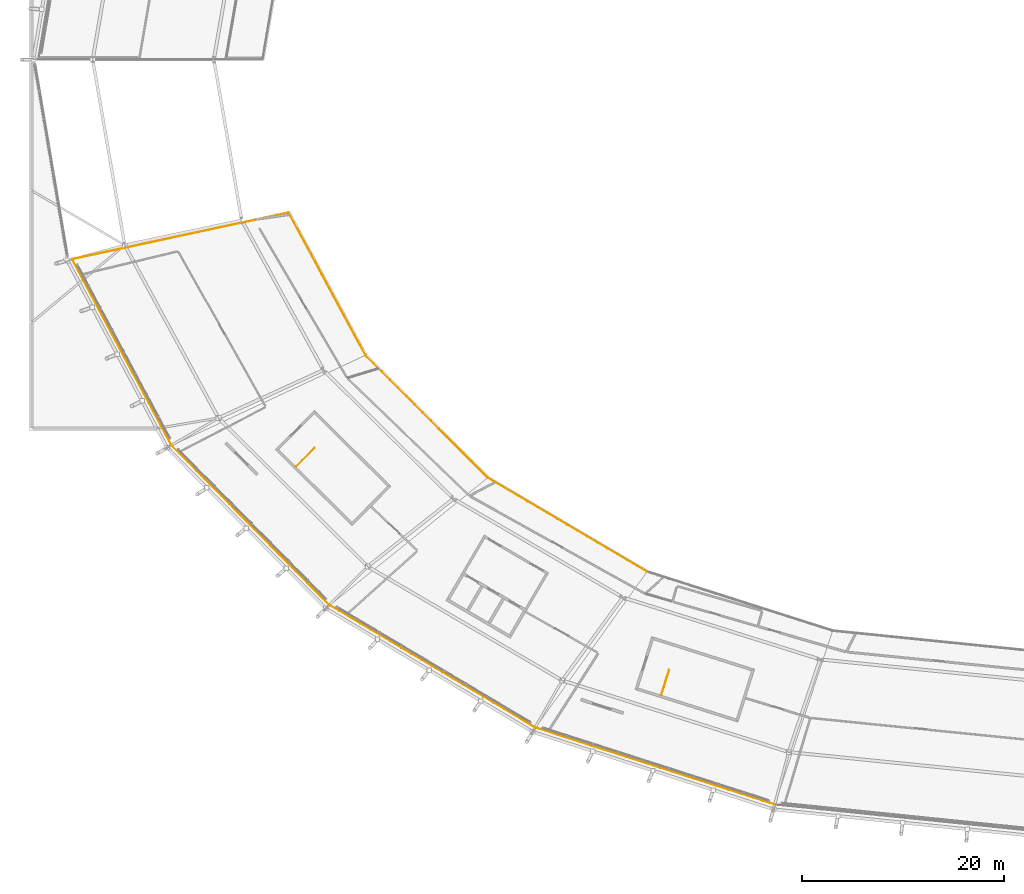
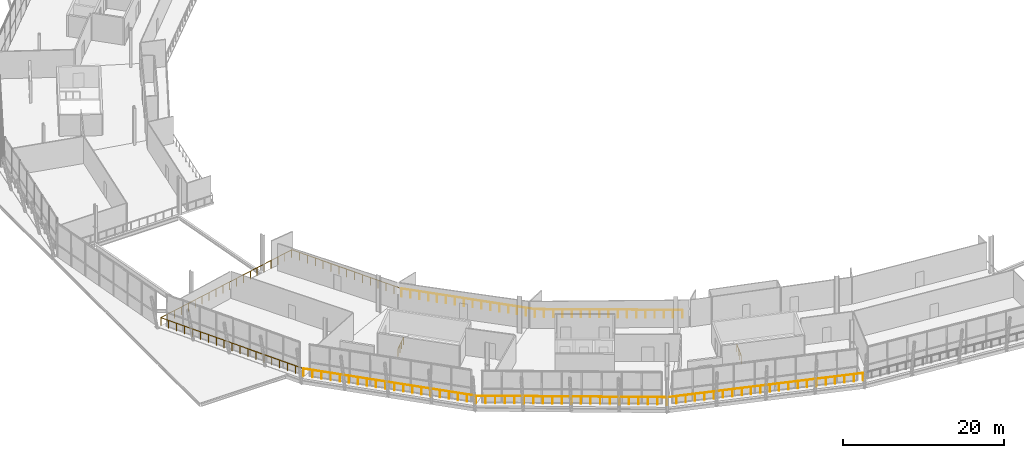
# One storey, part 93 of 99: 10 railings.
"""IFC4 building model written with IfcOpenShell, lengths in metres."""

from ifc_helpers import new_model, si_unit, direction, frame, origin, origin_2d, place, context, subcontext, project, spatial, rectangle, extrude, material, type_object, element, save


model = new_model("IFC4")

# Units and contexts
model_context = context("Model", 3, precision=1e-05, world=origin(), true_north=direction((0.0, 1.0)))
body_context = subcontext(model_context, "Body", "Model", "MODEL_VIEW")
ifc_project = project(units=[si_unit("LENGTHUNIT", "METRE"), si_unit("AREAUNIT", "SQUARE_METRE"), si_unit("VOLUMEUNIT", "CUBIC_METRE"), si_unit("PLANEANGLEUNIT", "RADIAN"), si_unit("MASSUNIT", "GRAM", prefix="KILO")], contexts=[model_context])

# Site, building, storey
site_placement = place(None, origin())
site = spatial("IfcSite", under=ifc_project, at=site_placement, CompositionType="ELEMENT")
building_placement = place(site_placement, origin())
building = spatial("IfcBuilding", under=site, at=building_placement, Name="Zlatoyarsky Gate Stadium", CompositionType="ELEMENT")
storey_placement = place(building_placement, frame((0.0, 0.0, 26.199951171875)))
storey = spatial("IfcBuildingStorey", under=building, at=storey_placement, Name="L05", CompositionType="ELEMENT", Elevation=26.199951171875)

# Railings
ifc_material_1 = material(Name="Powder-coated steel tubular guardrail", Category="steel")
railing_type_1 = type_object("IfcRailingType", Name="CONCOURSE SLAB EDGE GUARDRAIL 1200", PredefinedType="GUARDRAIL", material=ifc_material_1)
railing_1_placement = place(storey_placement, frame((37.415771484375, 64.83837890625, 0.0)))
element("IfcRailing", 1, at=railing_1_placement, inside=storey, type_object=railing_type_1, Name="L05 inner bowl edge guardrail 13", PredefinedType="GUARDRAIL", context=body_context, shape_type="SweptSolid", body=[
    extrude(rectangle(XDim=0.048095703125, YDim=0.048095703125, at=origin_2d()), frame((0.0, 0.0, 1.17578125), z_axis=(0.474232271998, -0.880399768398, 0.0), x_axis=(0.880399768398, 0.474232271998, 0.0)), (0.0, 0.0, 1.0), 16.0478515625),
    extrude(rectangle(XDim=0.0419921875, YDim=0.0419921875, at=origin_2d()), origin(), (0.0, 0.0, 1.0), 1.15185546875),
    extrude(rectangle(XDim=0.0419921875, YDim=0.0419921875, at=origin_2d()), frame((0.543701171875, -1.00927734375, 0.0)), (0.0, 0.0, 1.0), 1.15185546875),
    extrude(rectangle(XDim=0.0419921875, YDim=0.0419921875, at=origin_2d()), frame((1.087158203125, -2.018310546875, 0.0)), (0.0, 0.0, 1.0), 1.15185546875),
    extrude(rectangle(XDim=0.0419921875, YDim=0.0419921875, at=origin_2d()), frame((1.630859375, -3.027587890625, 0.0)), (0.0, 0.0, 1.0), 1.15185546875),
    extrude(rectangle(XDim=0.0419921875, YDim=0.0419921875, at=origin_2d()), frame((2.17431640625, -4.03662109375, 0.0)), (0.0, 0.0, 1.0), 1.15185546875),
    extrude(rectangle(XDim=0.0419921875, YDim=0.0419921875, at=origin_2d()), frame((2.718017578125, -5.0458984375, 0.0)), (0.0, 0.0, 1.0), 1.15185546875),
    extrude(rectangle(XDim=0.0419921875, YDim=0.0419921875, at=origin_2d()), frame((3.261474609375, -6.054931640625, 0.0)), (0.0, 0.0, 1.0), 1.15185546875),
    extrude(rectangle(XDim=0.0419921875, YDim=0.0419921875, at=origin_2d()), frame((3.80517578125, -7.064208984375, 0.0)), (0.0, 0.0, 1.0), 1.15185546875),
    extrude(rectangle(XDim=0.0419921875, YDim=0.0419921875, at=origin_2d()), frame((4.348876953125, -8.073486328125, 0.0)), (0.0, 0.0, 1.0), 1.15185546875),
    extrude(rectangle(XDim=0.0419921875, YDim=0.0419921875, at=origin_2d()), frame((4.892333984375, -9.08251953125, 0.0)), (0.0, 0.0, 1.0), 1.15185546875),
    extrude(rectangle(XDim=0.0419921875, YDim=0.0419921875, at=origin_2d()), frame((5.43603515625, -10.091796875, 0.0)), (0.0, 0.0, 1.0), 1.15185546875),
    extrude(rectangle(XDim=0.0419921875, YDim=0.0419921875, at=origin_2d()), frame((5.9794921875, -11.100830078125, 0.0)), (0.0, 0.0, 1.0), 1.15185546875),
    extrude(rectangle(XDim=0.0419921875, YDim=0.0419921875, at=origin_2d()), frame((6.523193359375, -12.110107421875, 0.0)), (0.0, 0.0, 1.0), 1.15185546875),
    extrude(rectangle(XDim=0.0419921875, YDim=0.0419921875, at=origin_2d()), frame((7.066650390625, -13.119140625, 0.0)), (0.0, 0.0, 1.0), 1.15185546875),
    extrude(rectangle(XDim=0.0419921875, YDim=0.0419921875, at=origin_2d()), frame((7.6103515625, -14.12841796875, 0.0)), (0.0, 0.0, 1.0), 1.15185546875),
])
railing_2_placement = place(storey_placement, frame((45.026123046875, 50.7099609375, 0.0)))
element("IfcRailing", 2, at=railing_2_placement, inside=storey, type_object=railing_type_1, Name="L05 inner bowl edge guardrail 14", PredefinedType="GUARDRAIL", context=body_context, shape_type="SweptSolid", body=[
    extrude(rectangle(XDim=0.048095703125, YDim=0.048095703125, at=origin_2d()), frame((0.0, 0.0, 1.17578125), z_axis=(0.706351424842, -0.707861331493, 0.0), x_axis=(0.707861331493, 0.706351424842, 0.0)), (0.0, 0.0, 1.0), 17.139404296875),
    extrude(rectangle(XDim=0.0419921875, YDim=0.0419921875, at=origin_2d()), origin(), (0.0, 0.0, 1.0), 1.15185546875),
    extrude(rectangle(XDim=0.0419921875, YDim=0.0419921875, at=origin_2d()), frame((0.80712890625, -0.808837890625, 0.0)), (0.0, 0.0, 1.0), 1.15185546875),
    extrude(rectangle(XDim=0.0419921875, YDim=0.0419921875, at=origin_2d()), frame((1.6142578125, -1.61767578125, 0.0)), (0.0, 0.0, 1.0), 1.15185546875),
    extrude(rectangle(XDim=0.0419921875, YDim=0.0419921875, at=origin_2d()), frame((2.42138671875, -2.426513671875, 0.0)), (0.0, 0.0, 1.0), 1.15185546875),
    extrude(rectangle(XDim=0.0419921875, YDim=0.0419921875, at=origin_2d()), frame((3.228271484375, -3.2353515625, 0.0)), (0.0, 0.0, 1.0), 1.15185546875),
    extrude(rectangle(XDim=0.0419921875, YDim=0.0419921875, at=origin_2d()), frame((4.035400390625, -4.044189453125, 0.0)), (0.0, 0.0, 1.0), 1.15185546875),
    extrude(rectangle(XDim=0.0419921875, YDim=0.0419921875, at=origin_2d()), frame((4.842529296875, -4.85302734375, 0.0)), (0.0, 0.0, 1.0), 1.15185546875),
    extrude(rectangle(XDim=0.0419921875, YDim=0.0419921875, at=origin_2d()), frame((5.649658203125, -5.661865234375, 0.0)), (0.0, 0.0, 1.0), 1.15185546875),
    extrude(rectangle(XDim=0.0419921875, YDim=0.0419921875, at=origin_2d()), frame((6.456787109375, -6.470458984375, 0.0)), (0.0, 0.0, 1.0), 1.15185546875),
    extrude(rectangle(XDim=0.0419921875, YDim=0.0419921875, at=origin_2d()), frame((7.263916015625, -7.279296875, 0.0)), (0.0, 0.0, 1.0), 1.15185546875),
    extrude(rectangle(XDim=0.0419921875, YDim=0.0419921875, at=origin_2d()), frame((8.071044921875, -8.088134765625, 0.0)), (0.0, 0.0, 1.0), 1.15185546875),
    extrude(rectangle(XDim=0.0419921875, YDim=0.0419921875, at=origin_2d()), frame((8.878173828125, -8.89697265625, 0.0)), (0.0, 0.0, 1.0), 1.15185546875),
    extrude(rectangle(XDim=0.0419921875, YDim=0.0419921875, at=origin_2d()), frame((9.68505859375, -9.705810546875, 0.0)), (0.0, 0.0, 1.0), 1.15185546875),
    extrude(rectangle(XDim=0.0419921875, YDim=0.0419921875, at=origin_2d()), frame((10.4921875, -10.5146484375, 0.0)), (0.0, 0.0, 1.0), 1.15185546875),
    extrude(rectangle(XDim=0.0419921875, YDim=0.0419921875, at=origin_2d()), frame((11.29931640625, -11.323486328125, 0.0)), (0.0, 0.0, 1.0), 1.15185546875),
    extrude(rectangle(XDim=0.0419921875, YDim=0.0419921875, at=origin_2d()), frame((12.1064453125, -12.13232421875, 0.0)), (0.0, 0.0, 1.0), 1.15185546875),
])
railing_3_placement = place(storey_placement, frame((57.132568359375, 38.57763671875, 0.0)))
element("IfcRailing", 3, at=railing_3_placement, inside=storey, type_object=railing_type_1, Name="L05 inner bowl edge guardrail 15", PredefinedType="GUARDRAIL", context=body_context, shape_type="SweptSolid", body=[
    extrude(rectangle(XDim=0.048095703125, YDim=0.048095703125, at=origin_2d()), frame((0.0, 0.0, 1.17578125), z_axis=(0.861252692378, -0.508176937563, 0.0), x_axis=(0.508176937563, 0.861252692378, 0.0)), (0.0, 0.0, 1.0), 18.319091796875),
    extrude(rectangle(XDim=0.0419921875, YDim=0.0419921875, at=origin_2d()), origin(), (0.0, 0.0, 1.0), 1.15185546875),
    extrude(rectangle(XDim=0.0419921875, YDim=0.0419921875, at=origin_2d()), frame((0.986083984375, -0.581787109375, 0.0)), (0.0, 0.0, 1.0), 1.15185546875),
    extrude(rectangle(XDim=0.0419921875, YDim=0.0419921875, at=origin_2d()), frame((1.97216796875, -1.16357421875, 0.0)), (0.0, 0.0, 1.0), 1.15185546875),
    extrude(rectangle(XDim=0.0419921875, YDim=0.0419921875, at=origin_2d()), frame((2.958251953125, -1.74560546875, 0.0)), (0.0, 0.0, 1.0), 1.15185546875),
    extrude(rectangle(XDim=0.0419921875, YDim=0.0419921875, at=origin_2d()), frame((3.9443359375, -2.327392578125, 0.0)), (0.0, 0.0, 1.0), 1.15185546875),
    extrude(rectangle(XDim=0.0419921875, YDim=0.0419921875, at=origin_2d()), frame((4.930419921875, -2.9091796875, 0.0)), (0.0, 0.0, 1.0), 1.15185546875),
    extrude(rectangle(XDim=0.0419921875, YDim=0.0419921875, at=origin_2d()), frame((5.91650390625, -3.490966796875, 0.0)), (0.0, 0.0, 1.0), 1.15185546875),
    extrude(rectangle(XDim=0.0419921875, YDim=0.0419921875, at=origin_2d()), frame((6.902587890625, -4.07275390625, 0.0)), (0.0, 0.0, 1.0), 1.15185546875),
    extrude(rectangle(XDim=0.0419921875, YDim=0.0419921875, at=origin_2d()), frame((7.888671875, -4.65478515625, 0.0)), (0.0, 0.0, 1.0), 1.15185546875),
    extrude(rectangle(XDim=0.0419921875, YDim=0.0419921875, at=origin_2d()), frame((8.874755859375, -5.236572265625, 0.0)), (0.0, 0.0, 1.0), 1.15185546875),
    extrude(rectangle(XDim=0.0419921875, YDim=0.0419921875, at=origin_2d()), frame((9.86083984375, -5.818359375, 0.0)), (0.0, 0.0, 1.0), 1.15185546875),
    extrude(rectangle(XDim=0.0419921875, YDim=0.0419921875, at=origin_2d()), frame((10.846923828125, -6.400146484375, 0.0)), (0.0, 0.0, 1.0), 1.15185546875),
    extrude(rectangle(XDim=0.0419921875, YDim=0.0419921875, at=origin_2d()), frame((11.8330078125, -6.98193359375, 0.0)), (0.0, 0.0, 1.0), 1.15185546875),
    extrude(rectangle(XDim=0.0419921875, YDim=0.0419921875, at=origin_2d()), frame((12.819091796875, -7.563720703125, 0.0)), (0.0, 0.0, 1.0), 1.15185546875),
    extrude(rectangle(XDim=0.0419921875, YDim=0.0419921875, at=origin_2d()), frame((13.80517578125, -8.145751953125, 0.0)), (0.0, 0.0, 1.0), 1.15185546875),
    extrude(rectangle(XDim=0.0419921875, YDim=0.0419921875, at=origin_2d()), frame((14.791259765625, -8.7275390625, 0.0)), (0.0, 0.0, 1.0), 1.15185546875),
    extrude(rectangle(XDim=0.0419921875, YDim=0.0419921875, at=origin_2d()), frame((15.77734375, -9.309326171875, 0.0)), (0.0, 0.0, 1.0), 1.15185546875),
])
railing_4_placement = place(storey_placement, frame((15.97412109375, 60.23193359375, 0.0)))
element("IfcRailing", 4, at=railing_4_placement, inside=storey, type_object=railing_type_1, Name="L05 outer slab edge guardrail 13", PredefinedType="GUARDRAIL", context=body_context, shape_type="SweptSolid", body=[
    extrude(rectangle(XDim=0.048095703125, YDim=0.048095703125, at=origin_2d()), frame((0.0, 0.0, 1.17578125), z_axis=(0.470715076783, -0.882285280671, 0.0), x_axis=(0.882285280671, 0.470715076783, 0.0)), (0.0, 0.0, 1.0), 20.878662109375),
    extrude(rectangle(XDim=0.0419921875, YDim=0.0419921875, at=origin_2d()), origin(), (0.0, 0.0, 1.0), 1.15185546875),
    extrude(rectangle(XDim=0.0419921875, YDim=0.0419921875, at=origin_2d()), frame((0.5458984375, -1.0234375, 0.0)), (0.0, 0.0, 1.0), 1.15185546875),
    extrude(rectangle(XDim=0.0419921875, YDim=0.0419921875, at=origin_2d()), frame((1.092041015625, -2.046875, 0.0)), (0.0, 0.0, 1.0), 1.15185546875),
    extrude(rectangle(XDim=0.0419921875, YDim=0.0419921875, at=origin_2d()), frame((1.637939453125, -3.070068359375, 0.0)), (0.0, 0.0, 1.0), 1.15185546875),
    extrude(rectangle(XDim=0.0419921875, YDim=0.0419921875, at=origin_2d()), frame((2.18408203125, -4.093505859375, 0.0)), (0.0, 0.0, 1.0), 1.15185546875),
    extrude(rectangle(XDim=0.0419921875, YDim=0.0419921875, at=origin_2d()), frame((2.72998046875, -5.116943359375, 0.0)), (0.0, 0.0, 1.0), 1.15185546875),
    extrude(rectangle(XDim=0.0419921875, YDim=0.0419921875, at=origin_2d()), frame((3.27587890625, -6.140380859375, 0.0)), (0.0, 0.0, 1.0), 1.15185546875),
    extrude(rectangle(XDim=0.0419921875, YDim=0.0419921875, at=origin_2d()), frame((3.822021484375, -7.16357421875, 0.0)), (0.0, 0.0, 1.0), 1.15185546875),
    extrude(rectangle(XDim=0.0419921875, YDim=0.0419921875, at=origin_2d()), frame((4.367919921875, -8.18701171875, 0.0)), (0.0, 0.0, 1.0), 1.15185546875),
    extrude(rectangle(XDim=0.0419921875, YDim=0.0419921875, at=origin_2d()), frame((4.9140625, -9.21044921875, 0.0)), (0.0, 0.0, 1.0), 1.15185546875),
    extrude(rectangle(XDim=0.0419921875, YDim=0.0419921875, at=origin_2d()), frame((5.4599609375, -10.23388671875, 0.0)), (0.0, 0.0, 1.0), 1.15185546875),
    extrude(rectangle(XDim=0.0419921875, YDim=0.0419921875, at=origin_2d()), frame((6.005859375, -11.25732421875, 0.0)), (0.0, 0.0, 1.0), 1.15185546875),
    extrude(rectangle(XDim=0.0419921875, YDim=0.0419921875, at=origin_2d()), frame((6.552001953125, -12.280517578125, 0.0)), (0.0, 0.0, 1.0), 1.15185546875),
    extrude(rectangle(XDim=0.0419921875, YDim=0.0419921875, at=origin_2d()), frame((7.097900390625, -13.303955078125, 0.0)), (0.0, 0.0, 1.0), 1.15185546875),
    extrude(rectangle(XDim=0.0419921875, YDim=0.0419921875, at=origin_2d()), frame((7.643798828125, -14.327392578125, 0.0)), (0.0, 0.0, 1.0), 1.15185546875),
    extrude(rectangle(XDim=0.0419921875, YDim=0.0419921875, at=origin_2d()), frame((8.18994140625, -15.350830078125, 0.0)), (0.0, 0.0, 1.0), 1.15185546875),
    extrude(rectangle(XDim=0.0419921875, YDim=0.0419921875, at=origin_2d()), frame((8.73583984375, -16.3740234375, 0.0)), (0.0, 0.0, 1.0), 1.15185546875),
    extrude(rectangle(XDim=0.0419921875, YDim=0.0419921875, at=origin_2d()), frame((9.281982421875, -17.3974609375, 0.0)), (0.0, 0.0, 1.0), 1.15185546875),
    extrude(rectangle(XDim=0.0419921875, YDim=0.0419921875, at=origin_2d()), frame((9.827880859375, -18.4208984375, 0.0)), (0.0, 0.0, 1.0), 1.15185546875),
])
railing_5_placement = place(storey_placement, frame((25.802001953125, 41.81103515625, 0.0)))
element("IfcRailing", 5, at=railing_5_placement, inside=storey, type_object=railing_type_1, Name="L05 outer slab edge guardrail 14", PredefinedType="GUARDRAIL", context=body_context, shape_type="SweptSolid", body=[
    extrude(rectangle(XDim=0.048095703125, YDim=0.048095703125, at=origin_2d()), frame((0.0, 0.0, 1.17578125), z_axis=(0.70295078812, -0.711238489876, 0.0), x_axis=(0.711238489876, 0.70295078812, 0.0)), (0.0, 0.0, 1.0), 22.240966796875),
    extrude(rectangle(XDim=0.0419921875, YDim=0.0419921875, at=origin_2d()), origin(), (0.0, 0.0, 1.0), 1.15185546875),
    extrude(rectangle(XDim=0.0419921875, YDim=0.0419921875, at=origin_2d()), frame((0.82275390625, -0.83251953125, 0.0)), (0.0, 0.0, 1.0), 1.15185546875),
    extrude(rectangle(XDim=0.0419921875, YDim=0.0419921875, at=origin_2d()), frame((1.645751953125, -1.6650390625, 0.0)), (0.0, 0.0, 1.0), 1.15185546875),
    extrude(rectangle(XDim=0.0419921875, YDim=0.0419921875, at=origin_2d()), frame((2.468505859375, -2.49755859375, 0.0)), (0.0, 0.0, 1.0), 1.15185546875),
    extrude(rectangle(XDim=0.0419921875, YDim=0.0419921875, at=origin_2d()), frame((3.29150390625, -3.330322265625, 0.0)), (0.0, 0.0, 1.0), 1.15185546875),
    extrude(rectangle(XDim=0.0419921875, YDim=0.0419921875, at=origin_2d()), frame((4.1142578125, -4.162841796875, 0.0)), (0.0, 0.0, 1.0), 1.15185546875),
    extrude(rectangle(XDim=0.0419921875, YDim=0.0419921875, at=origin_2d()), frame((4.937255859375, -4.995361328125, 0.0)), (0.0, 0.0, 1.0), 1.15185546875),
    extrude(rectangle(XDim=0.0419921875, YDim=0.0419921875, at=origin_2d()), frame((5.760009765625, -5.827880859375, 0.0)), (0.0, 0.0, 1.0), 1.15185546875),
    extrude(rectangle(XDim=0.0419921875, YDim=0.0419921875, at=origin_2d()), frame((6.582763671875, -6.660400390625, 0.0)), (0.0, 0.0, 1.0), 1.15185546875),
    extrude(rectangle(XDim=0.0419921875, YDim=0.0419921875, at=origin_2d()), frame((7.40576171875, -7.492919921875, 0.0)), (0.0, 0.0, 1.0), 1.15185546875),
    extrude(rectangle(XDim=0.0419921875, YDim=0.0419921875, at=origin_2d()), frame((8.228515625, -8.32568359375, 0.0)), (0.0, 0.0, 1.0), 1.15185546875),
    extrude(rectangle(XDim=0.0419921875, YDim=0.0419921875, at=origin_2d()), frame((9.051513671875, -9.158203125, 0.0)), (0.0, 0.0, 1.0), 1.15185546875),
    extrude(rectangle(XDim=0.0419921875, YDim=0.0419921875, at=origin_2d()), frame((9.874267578125, -9.99072265625, 0.0)), (0.0, 0.0, 1.0), 1.15185546875),
    extrude(rectangle(XDim=0.0419921875, YDim=0.0419921875, at=origin_2d()), frame((10.697021484375, -10.8232421875, 0.0)), (0.0, 0.0, 1.0), 1.15185546875),
    extrude(rectangle(XDim=0.0419921875, YDim=0.0419921875, at=origin_2d()), frame((11.52001953125, -11.65576171875, 0.0)), (0.0, 0.0, 1.0), 1.15185546875),
    extrude(rectangle(XDim=0.0419921875, YDim=0.0419921875, at=origin_2d()), frame((12.3427734375, -12.48828125, 0.0)), (0.0, 0.0, 1.0), 1.15185546875),
    extrude(rectangle(XDim=0.0419921875, YDim=0.0419921875, at=origin_2d()), frame((13.165771484375, -13.321044921875, 0.0)), (0.0, 0.0, 1.0), 1.15185546875),
    extrude(rectangle(XDim=0.0419921875, YDim=0.0419921875, at=origin_2d()), frame((13.988525390625, -14.153564453125, 0.0)), (0.0, 0.0, 1.0), 1.15185546875),
    extrude(rectangle(XDim=0.0419921875, YDim=0.0419921875, at=origin_2d()), frame((14.8115234375, -14.986083984375, 0.0)), (0.0, 0.0, 1.0), 1.15185546875),
    extrude(rectangle(XDim=0.0419921875, YDim=0.0419921875, at=origin_2d()), frame((15.63427734375, -15.818603515625, 0.0)), (0.0, 0.0, 1.0), 1.15185546875),
])
railing_6_placement = place(storey_placement, frame((41.436279296875, 25.992431640625, 0.0)))
element("IfcRailing", 6, at=railing_6_placement, inside=storey, type_object=railing_type_1, Name="L05 outer slab edge guardrail 15", PredefinedType="GUARDRAIL", context=body_context, shape_type="SweptSolid", body=[
    extrude(rectangle(XDim=0.048095703125, YDim=0.048095703125, at=origin_2d()), frame((0.0, 0.0, 1.17578125), z_axis=(0.859102795872, -0.511803073578, 0.0), x_axis=(0.511803073578, 0.859102795872, 0.0)), (0.0, 0.0, 1.0), 23.716064453125),
    extrude(rectangle(XDim=0.0419921875, YDim=0.0419921875, at=origin_2d()), origin(), (0.0, 0.0, 1.0), 1.15185546875),
    extrude(rectangle(XDim=0.0419921875, YDim=0.0419921875, at=origin_2d()), frame((1.018798828125, -0.60693359375, 0.0)), (0.0, 0.0, 1.0), 1.15185546875),
    extrude(rectangle(XDim=0.0419921875, YDim=0.0419921875, at=origin_2d()), frame((2.037353515625, -1.2138671875, 0.0)), (0.0, 0.0, 1.0), 1.15185546875),
    extrude(rectangle(XDim=0.0419921875, YDim=0.0419921875, at=origin_2d()), frame((3.05615234375, -1.82080078125, 0.0)), (0.0, 0.0, 1.0), 1.15185546875),
    extrude(rectangle(XDim=0.0419921875, YDim=0.0419921875, at=origin_2d()), frame((4.074951171875, -2.427490234375, 0.0)), (0.0, 0.0, 1.0), 1.15185546875),
    extrude(rectangle(XDim=0.0419921875, YDim=0.0419921875, at=origin_2d()), frame((5.09375, -3.034423828125, 0.0)), (0.0, 0.0, 1.0), 1.15185546875),
    extrude(rectangle(XDim=0.0419921875, YDim=0.0419921875, at=origin_2d()), frame((6.1123046875, -3.641357421875, 0.0)), (0.0, 0.0, 1.0), 1.15185546875),
    extrude(rectangle(XDim=0.0419921875, YDim=0.0419921875, at=origin_2d()), frame((7.131103515625, -4.248291015625, 0.0)), (0.0, 0.0, 1.0), 1.15185546875),
    extrude(rectangle(XDim=0.0419921875, YDim=0.0419921875, at=origin_2d()), frame((8.14990234375, -4.855224609375, 0.0)), (0.0, 0.0, 1.0), 1.15185546875),
    extrude(rectangle(XDim=0.0419921875, YDim=0.0419921875, at=origin_2d()), frame((9.16845703125, -5.462158203125, 0.0)), (0.0, 0.0, 1.0), 1.15185546875),
    extrude(rectangle(XDim=0.0419921875, YDim=0.0419921875, at=origin_2d()), frame((10.187255859375, -6.06884765625, 0.0)), (0.0, 0.0, 1.0), 1.15185546875),
    extrude(rectangle(XDim=0.0419921875, YDim=0.0419921875, at=origin_2d()), frame((11.2060546875, -6.67578125, 0.0)), (0.0, 0.0, 1.0), 1.15185546875),
    extrude(rectangle(XDim=0.0419921875, YDim=0.0419921875, at=origin_2d()), frame((12.224609375, -7.28271484375, 0.0)), (0.0, 0.0, 1.0), 1.15185546875),
    extrude(rectangle(XDim=0.0419921875, YDim=0.0419921875, at=origin_2d()), frame((13.243408203125, -7.8896484375, 0.0)), (0.0, 0.0, 1.0), 1.15185546875),
    extrude(rectangle(XDim=0.0419921875, YDim=0.0419921875, at=origin_2d()), frame((14.26220703125, -8.49658203125, 0.0)), (0.0, 0.0, 1.0), 1.15185546875),
    extrude(rectangle(XDim=0.0419921875, YDim=0.0419921875, at=origin_2d()), frame((15.28076171875, -9.103515625, 0.0)), (0.0, 0.0, 1.0), 1.15185546875),
    extrude(rectangle(XDim=0.0419921875, YDim=0.0419921875, at=origin_2d()), frame((16.299560546875, -9.71044921875, 0.0)), (0.0, 0.0, 1.0), 1.15185546875),
    extrude(rectangle(XDim=0.0419921875, YDim=0.0419921875, at=origin_2d()), frame((17.318359375, -10.317138671875, 0.0)), (0.0, 0.0, 1.0), 1.15185546875),
    extrude(rectangle(XDim=0.0419921875, YDim=0.0419921875, at=origin_2d()), frame((18.337158203125, -10.924072265625, 0.0)), (0.0, 0.0, 1.0), 1.15185546875),
    extrude(rectangle(XDim=0.0419921875, YDim=0.0419921875, at=origin_2d()), frame((19.355712890625, -11.531005859375, 0.0)), (0.0, 0.0, 1.0), 1.15185546875),
    extrude(rectangle(XDim=0.0419921875, YDim=0.0419921875, at=origin_2d()), frame((20.37451171875, -12.137939453125, 0.0)), (0.0, 0.0, 1.0), 1.15185546875),
])
railing_7_placement = place(storey_placement, frame((61.810791015625, 13.8544921875, 0.0)))
element("IfcRailing", 7, at=railing_7_placement, inside=storey, type_object=railing_type_1, Name="L05 outer slab edge guardrail 16", PredefinedType="GUARDRAIL", context=body_context, shape_type="SweptSolid", body=[
    extrude(rectangle(XDim=0.048095703125, YDim=0.048095703125, at=origin_2d()), frame((0.0, 0.0, 1.17578125), z_axis=(0.951986765768, -0.306139180443, 0.0), x_axis=(0.306139180443, 0.951986765768, 0.0)), (0.0, 0.0, 1.0), 24.923828125),
    extrude(rectangle(XDim=0.0419921875, YDim=0.0419921875, at=origin_2d()), origin(), (0.0, 0.0, 1.0), 1.15185546875),
    extrude(rectangle(XDim=0.0419921875, YDim=0.0419921875, at=origin_2d()), frame((1.1298828125, -0.36328125, 0.0)), (0.0, 0.0, 1.0), 1.15185546875),
    extrude(rectangle(XDim=0.0419921875, YDim=0.0419921875, at=origin_2d()), frame((2.259765625, -0.7265625, 0.0)), (0.0, 0.0, 1.0), 1.15185546875),
    extrude(rectangle(XDim=0.0419921875, YDim=0.0419921875, at=origin_2d()), frame((3.3896484375, -1.090087890625, 0.0)), (0.0, 0.0, 1.0), 1.15185546875),
    extrude(rectangle(XDim=0.0419921875, YDim=0.0419921875, at=origin_2d()), frame((4.51953125, -1.453369140625, 0.0)), (0.0, 0.0, 1.0), 1.15185546875),
    extrude(rectangle(XDim=0.0419921875, YDim=0.0419921875, at=origin_2d()), frame((5.6494140625, -1.816650390625, 0.0)), (0.0, 0.0, 1.0), 1.15185546875),
    extrude(rectangle(XDim=0.0419921875, YDim=0.0419921875, at=origin_2d()), frame((6.779052734375, -2.179931640625, 0.0)), (0.0, 0.0, 1.0), 1.15185546875),
    extrude(rectangle(XDim=0.0419921875, YDim=0.0419921875, at=origin_2d()), frame((7.908935546875, -2.54345703125, 0.0)), (0.0, 0.0, 1.0), 1.15185546875),
    extrude(rectangle(XDim=0.0419921875, YDim=0.0419921875, at=origin_2d()), frame((9.038818359375, -2.90673828125, 0.0)), (0.0, 0.0, 1.0), 1.15185546875),
    extrude(rectangle(XDim=0.0419921875, YDim=0.0419921875, at=origin_2d()), frame((10.168701171875, -3.27001953125, 0.0)), (0.0, 0.0, 1.0), 1.15185546875),
    extrude(rectangle(XDim=0.0419921875, YDim=0.0419921875, at=origin_2d()), frame((11.298583984375, -3.63330078125, 0.0)), (0.0, 0.0, 1.0), 1.15185546875),
    extrude(rectangle(XDim=0.0419921875, YDim=0.0419921875, at=origin_2d()), frame((12.428466796875, -3.996826171875, 0.0)), (0.0, 0.0, 1.0), 1.15185546875),
    extrude(rectangle(XDim=0.0419921875, YDim=0.0419921875, at=origin_2d()), frame((13.558349609375, -4.360107421875, 0.0)), (0.0, 0.0, 1.0), 1.15185546875),
    extrude(rectangle(XDim=0.0419921875, YDim=0.0419921875, at=origin_2d()), frame((14.688232421875, -4.723388671875, 0.0)), (0.0, 0.0, 1.0), 1.15185546875),
    extrude(rectangle(XDim=0.0419921875, YDim=0.0419921875, at=origin_2d()), frame((15.818115234375, -5.086669921875, 0.0)), (0.0, 0.0, 1.0), 1.15185546875),
    extrude(rectangle(XDim=0.0419921875, YDim=0.0419921875, at=origin_2d()), frame((16.947998046875, -5.4501953125, 0.0)), (0.0, 0.0, 1.0), 1.15185546875),
    extrude(rectangle(XDim=0.0419921875, YDim=0.0419921875, at=origin_2d()), frame((18.07763671875, -5.8134765625, 0.0)), (0.0, 0.0, 1.0), 1.15185546875),
    extrude(rectangle(XDim=0.0419921875, YDim=0.0419921875, at=origin_2d()), frame((19.20751953125, -6.1767578125, 0.0)), (0.0, 0.0, 1.0), 1.15185546875),
    extrude(rectangle(XDim=0.0419921875, YDim=0.0419921875, at=origin_2d()), frame((20.33740234375, -6.5400390625, 0.0)), (0.0, 0.0, 1.0), 1.15185546875),
    extrude(rectangle(XDim=0.0419921875, YDim=0.0419921875, at=origin_2d()), frame((21.46728515625, -6.903564453125, 0.0)), (0.0, 0.0, 1.0), 1.15185546875),
    extrude(rectangle(XDim=0.0419921875, YDim=0.0419921875, at=origin_2d()), frame((22.59716796875, -7.266845703125, 0.0)), (0.0, 0.0, 1.0), 1.15185546875),
    extrude(rectangle(XDim=0.0419921875, YDim=0.0419921875, at=origin_2d()), frame((23.72705078125, -7.630126953125, 0.0)), (0.0, 0.0, 1.0), 1.15185546875),
])
railing_8_placement = place(storey_placement, frame((37.396484375, 64.833251953125, 0.0)))
element("IfcRailing", 8, at=railing_8_placement, inside=storey, type_object=railing_type_1, Name="L05 gate arch radial guardrail 12B", PredefinedType="GUARDRAIL", context=body_context, shape_type="SweptSolid", body=[
    extrude(rectangle(XDim=0.048095703125, YDim=0.048095703125, at=origin_2d()), frame((0.0, 0.0, 1.17578125), z_axis=(-0.977701203345, -0.210000849947, 0.0), x_axis=(0.210000849947, -0.977701203345, 0.0)), (0.0, 0.0, 1.0), 21.910888671875),
    extrude(rectangle(XDim=0.0419921875, YDim=0.0419921875, at=origin_2d()), origin(), (0.0, 0.0, 1.0), 1.15185546875),
    extrude(rectangle(XDim=0.0419921875, YDim=0.0419921875, at=origin_2d()), frame((-1.12744140625, -0.2421875, 0.0)), (0.0, 0.0, 1.0), 1.15185546875),
    extrude(rectangle(XDim=0.0419921875, YDim=0.0419921875, at=origin_2d()), frame((-2.2548828125, -0.484375, 0.0)), (0.0, 0.0, 1.0), 1.15185546875),
    extrude(rectangle(XDim=0.0419921875, YDim=0.0419921875, at=origin_2d()), frame((-3.382568359375, -0.7265625, 0.0)), (0.0, 0.0, 1.0), 1.15185546875),
    extrude(rectangle(XDim=0.0419921875, YDim=0.0419921875, at=origin_2d()), frame((-4.510009765625, -0.96875, 0.0)), (0.0, 0.0, 1.0), 1.15185546875),
    extrude(rectangle(XDim=0.0419921875, YDim=0.0419921875, at=origin_2d()), frame((-5.637451171875, -1.2109375, 0.0)), (0.0, 0.0, 1.0), 1.15185546875),
    extrude(rectangle(XDim=0.0419921875, YDim=0.0419921875, at=origin_2d()), frame((-6.764892578125, -1.453125, 0.0)), (0.0, 0.0, 1.0), 1.15185546875),
    extrude(rectangle(XDim=0.0419921875, YDim=0.0419921875, at=origin_2d()), frame((-7.892333984375, -1.6953125, 0.0)), (0.0, 0.0, 1.0), 1.15185546875),
    extrude(rectangle(XDim=0.0419921875, YDim=0.0419921875, at=origin_2d()), frame((-9.02001953125, -1.9375, 0.0)), (0.0, 0.0, 1.0), 1.15185546875),
    extrude(rectangle(XDim=0.0419921875, YDim=0.0419921875, at=origin_2d()), frame((-10.1474609375, -2.1796875, 0.0)), (0.0, 0.0, 1.0), 1.15185546875),
    extrude(rectangle(XDim=0.0419921875, YDim=0.0419921875, at=origin_2d()), frame((-11.27490234375, -2.421630859375, 0.0)), (0.0, 0.0, 1.0), 1.15185546875),
    extrude(rectangle(XDim=0.0419921875, YDim=0.0419921875, at=origin_2d()), frame((-12.40234375, -2.663818359375, 0.0)), (0.0, 0.0, 1.0), 1.15185546875),
    extrude(rectangle(XDim=0.0419921875, YDim=0.0419921875, at=origin_2d()), frame((-13.530029296875, -2.906005859375, 0.0)), (0.0, 0.0, 1.0), 1.15185546875),
    extrude(rectangle(XDim=0.0419921875, YDim=0.0419921875, at=origin_2d()), frame((-14.657470703125, -3.148193359375, 0.0)), (0.0, 0.0, 1.0), 1.15185546875),
    extrude(rectangle(XDim=0.0419921875, YDim=0.0419921875, at=origin_2d()), frame((-15.784912109375, -3.390380859375, 0.0)), (0.0, 0.0, 1.0), 1.15185546875),
    extrude(rectangle(XDim=0.0419921875, YDim=0.0419921875, at=origin_2d()), frame((-16.912353515625, -3.632568359375, 0.0)), (0.0, 0.0, 1.0), 1.15185546875),
    extrude(rectangle(XDim=0.0419921875, YDim=0.0419921875, at=origin_2d()), frame((-18.039794921875, -3.874755859375, 0.0)), (0.0, 0.0, 1.0), 1.15185546875),
    extrude(rectangle(XDim=0.0419921875, YDim=0.0419921875, at=origin_2d()), frame((-19.16748046875, -4.116943359375, 0.0)), (0.0, 0.0, 1.0), 1.15185546875),
    extrude(rectangle(XDim=0.0419921875, YDim=0.0419921875, at=origin_2d()), frame((-20.294921875, -4.359130859375, 0.0)), (0.0, 0.0, 1.0), 1.15185546875),
    extrude(rectangle(XDim=0.0419921875, YDim=0.0419921875, at=origin_2d()), frame((-21.42236328125, -4.601318359375, 0.0)), (0.0, 0.0, 1.0), 1.15185546875),
])
ifc_material_2 = material(Name="Powder-coated steel stair guardrail", Category="steel")
railing_type_2 = type_object("IfcRailingType", Name="PAINTED STEEL STAIR WELL GUARDRAIL 1150", PredefinedType="GUARDRAIL", material=ifc_material_2)
railing_9_placement = place(storey_placement, frame((38.136474609375, 39.68798828125, 0.0)))
element("IfcRailing", 9, at=railing_9_placement, inside=storey, type_object=railing_type_2, Name="ST-08 L05 top well guard 1", PredefinedType="GUARDRAIL", context=body_context, shape_type="SweptSolid", body=[
    extrude(rectangle(XDim=0.048095703125, YDim=0.048095703125, at=origin_2d()), frame((0.0, 0.0, 1.1259765625), z_axis=(0.705320335516, 0.708888724912, 0.0), x_axis=(-0.708888724912, 0.705320335516, 0.0)), (0.0, 0.0, 1.0), 2.599853515625),
    extrude(rectangle(XDim=0.0419921875, YDim=0.0419921875, at=origin_2d()), origin(), (0.0, 0.0, 1.0), 1.101806640625),
    extrude(rectangle(XDim=0.0419921875, YDim=0.0419921875, at=origin_2d()), frame((0.611328125, 0.6142578125, 0.0)), (0.0, 0.0, 1.0), 1.101806640625),
    extrude(rectangle(XDim=0.0419921875, YDim=0.0419921875, at=origin_2d()), frame((1.222412109375, 1.228759765625, 0.0)), (0.0, 0.0, 1.0), 1.101806640625),
    extrude(rectangle(XDim=0.0419921875, YDim=0.0419921875, at=origin_2d()), frame((1.833740234375, 1.843017578125, 0.0)), (0.0, 0.0, 1.0), 1.101806640625),
])
railing_10_placement = place(storey_placement, frame((74.299072265625, 17.05078125, 0.0)))
element("IfcRailing", 10, at=railing_10_placement, inside=storey, type_object=railing_type_2, Name="ST-09 L05 top well guard 1", PredefinedType="GUARDRAIL", context=body_context, shape_type="SweptSolid", body=[
    extrude(rectangle(XDim=0.048095703125, YDim=0.048095703125, at=origin_2d()), frame((0.0, 0.0, 1.1259765625), z_axis=(0.301513330468, 0.95346196125, 0.0), x_axis=(-0.95346196125, 0.301513330468, 0.0)), (0.0, 0.0, 1.0), 2.60009765625),
    extrude(rectangle(XDim=0.0419921875, YDim=0.0419921875, at=origin_2d()), origin(), (0.0, 0.0, 1.0), 1.101806640625),
    extrude(rectangle(XDim=0.0419921875, YDim=0.0419921875, at=origin_2d()), frame((0.26123046875, 0.826416015625, 0.0)), (0.0, 0.0, 1.0), 1.101806640625),
    extrude(rectangle(XDim=0.0419921875, YDim=0.0419921875, at=origin_2d()), frame((0.522705078125, 1.652587890625, 0.0)), (0.0, 0.0, 1.0), 1.101806640625),
    extrude(rectangle(XDim=0.0419921875, YDim=0.0419921875, at=origin_2d()), frame((0.783935546875, 2.47900390625, 0.0)), (0.0, 0.0, 1.0), 1.101806640625),
])

save(model, "model.ifc")
